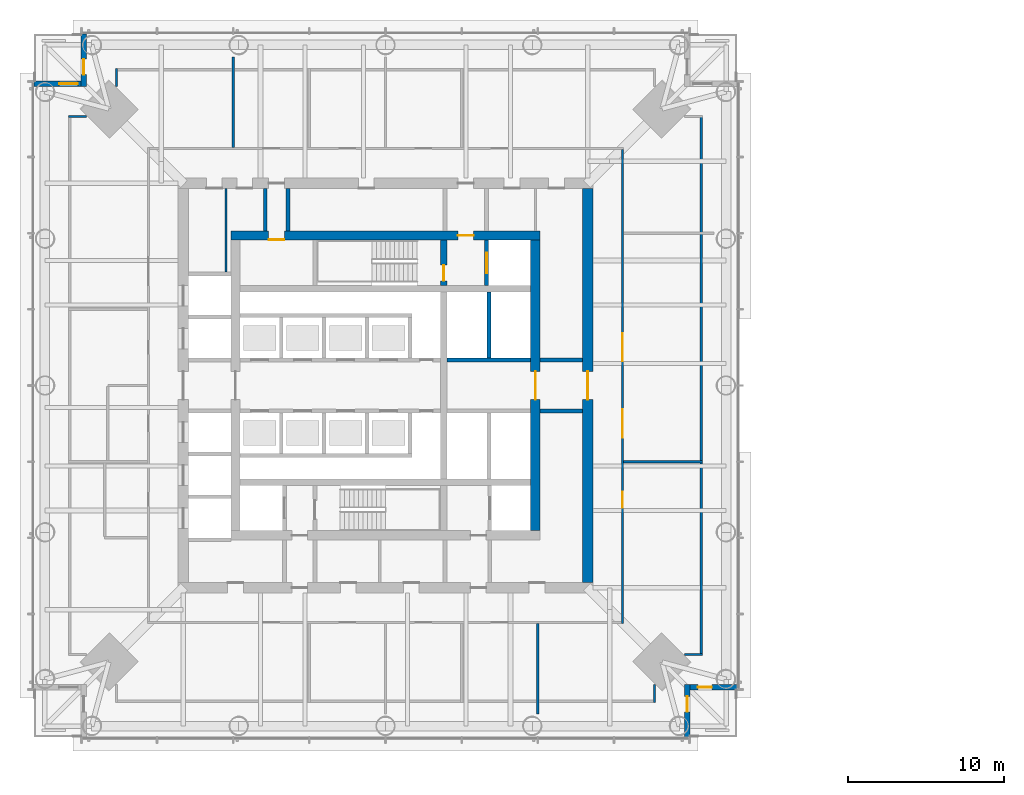
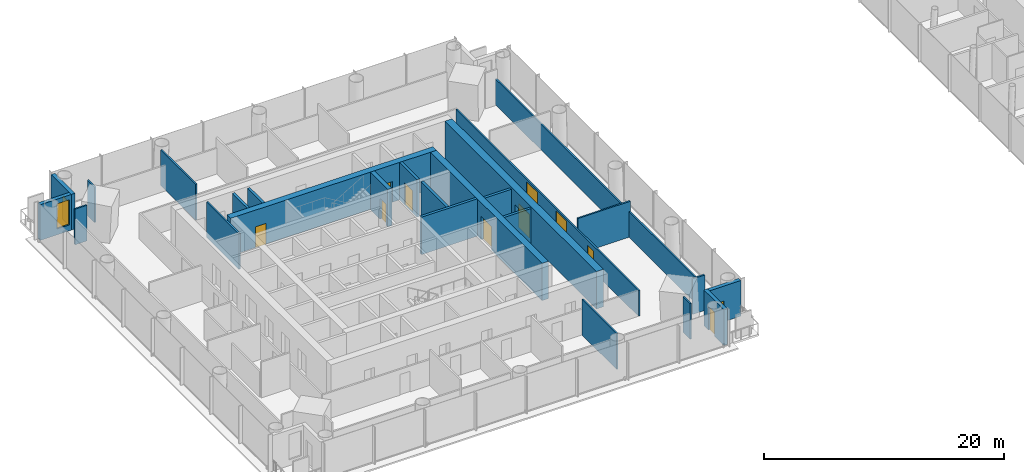
# One storey, part 11 of 27: 25 walls, 12 doors, 1 window, 13 openings.
"""IFC4 building model written with IfcOpenShell, lengths in metres."""

from ifc_helpers import new_model, si_unit, direction, frame, frame_2d, origin, place, context, subcontext, project, spatial, rectangle, extrude, material, layer, layer_set, type_object, element, fill, save


model = new_model("IFC4")

# Units and contexts
model_context = context("Model", 3, precision=1e-05, world=origin(), true_north=direction((0.0, 1.0)))
body_context = subcontext(model_context, "Body", "Model", "MODEL_VIEW")
ifc_project = project(units=[si_unit("LENGTHUNIT", "METRE"), si_unit("AREAUNIT", "SQUARE_METRE"), si_unit("VOLUMEUNIT", "CUBIC_METRE"), si_unit("PLANEANGLEUNIT", "RADIAN"), si_unit("MASSUNIT", "GRAM", prefix="KILO")], contexts=[model_context])

# Site, building, storey
site_placement = place(None, origin())
site = spatial("IfcSite", under=ifc_project, at=site_placement, CompositionType="ELEMENT")
building_placement = place(site_placement, origin())
building = spatial("IfcBuilding", under=site, at=building_placement, Name="Ostroluk Exchange", CompositionType="ELEMENT")
storey_placement = place(building_placement, frame((0.0, 0.0, 89.39990234375)))
storey = spatial("IfcBuildingStorey", under=building, at=storey_placement, Name="L22", CompositionType="ELEMENT", Elevation=89.39990234375)

# Walls
ifc_material_1 = material(Name="Concrete blockwork", Category="masonry")
ifc_layer_1 = layer(ifc_material_1, 0.14990234375)
ifc_layer_set_1 = layer_set([ifc_layer_1], Name="Blockwork plant room wall 150")
wall_type_1 = type_object("IfcWallType", Name="Blockwork plant room wall 150", PredefinedType="SOLIDWALL", material=ifc_layer_set_1)
wall_1_placement = place(storey_placement, frame((34.78759765625, 53.25, 0.0), z_axis=(0.0, 0.0, 1.0), x_axis=(0.0, 1.0, 0.0)))
element("IfcWall", 1, at=wall_1_placement, inside=storey, type_object=wall_type_1, Name="Core room wall", PredefinedType="SOLIDWALL", context=body_context, shape_type="SweptSolid", body=[
    extrude(rectangle(XDim=5.35009765625, YDim=0.14990234375, at=frame_2d((2.675048828125, 0.0))), origin(), (0.0, 0.0, 1.0), 3.6201171875),
])
ifc_material_2 = material(Name="Concrete blockwork", Category="masonry")
ifc_layer_2 = layer(ifc_material_2, 0.25)
ifc_layer_set_2 = layer_set([ifc_layer_2], Name="Blockwork stair enclosure wall 250")
wall_type_2 = type_object("IfcWallType", Name="Blockwork stair enclosure wall 250", PredefinedType="SOLIDWALL", material=ifc_layer_set_2)
for number, where, z_axis, x_axis, name in (
    (2, (54.89990234375, 44.375, 0.0), (0.0, 0.0, 1.0), (1.0, 0.0, 0.0), "Lift lobby enclosure wall"),
    (3, (54.89990234375, 47.625, 0.0), (0.0, 0.0, 1.0), (1.0, 0.0, 0.0), "Lift lobby enclosure wall"),
    (4, (37.300048828125, 55.89990234375, 0.0), (0.0, 0.0, 1.0), (0.0, 1.0, 0.0), "Core corridor wall"),
    (5, (38.75, 55.89990234375, 0.0), (0.0, 0.0, 1.0), (0.0, 1.0, 0.0), "Core corridor wall"),
):
    element("IfcWall", number, at=place(storey_placement, frame(where, z_axis=z_axis, x_axis=x_axis)), inside=storey, type_object=wall_type_2, Name=name, PredefinedType="SOLIDWALL", context=body_context, shape_type="SweptSolid", body=[
        extrude(rectangle(XDim=2.7001953125, YDim=0.25, at=frame_2d((1.35009765625, 0.0))), origin(), (0.0, 0.0, 1.0), 3.6201171875),
    ])

# Wall, opening, door
ifc_material_3 = material(Name="Concrete C50/60", Category="concrete")
ifc_layer_3 = layer(ifc_material_3, 0.39990234375)
ifc_layer_set_3 = layer_set([ifc_layer_3], Name="Core cross wall 400 C50/60")
wall_type_3 = type_object("IfcWallType", Name="Core cross wall 400 C50/60", PredefinedType="SHEAR", material=ifc_layer_set_3)
wall_2_placement = place(storey_placement, frame((48.72998046875, 52.39990234375, 0.0), z_axis=(0.0, 0.0, 1.0), x_axis=(0.0, 1.0, 0.0)))
wall_2 = element("IfcWall", 6, at=wall_2_placement, inside=storey, type_object=wall_type_3, Name="T1 core wall YE3", PredefinedType="SHEAR", context=body_context, shape_type="SweptSolid", body=[
    extrude(rectangle(XDim=2.900146484375, YDim=0.39990234375, at=frame_2d((1.4501953125, 0.0))), origin(), (0.0, 0.0, 1.0), 3.800048828125),
])
opening_1_placement = place(wall_2_placement, frame((0.300048828125, 0.0, 0.0)))
opening_1 = element("IfcOpeningElement", 7, at=opening_1_placement, cuts=wall_2, Name="Opening FD60", PredefinedType="OPENING", context=body_context, shape_type="SweptSolid", body=[
    extrude(rectangle(XDim=1.0, YDim=2.10009765625, at=frame_2d((0.5, 1.050048828125))), frame((0.0, 0.2099609375, 0.0), z_axis=(0.0, -1.0, 0.0), x_axis=(1.0, 0.0, 0.0)), (0.0, 0.0, 1.0), 0.419921875),
])
ifc_material_4 = material(Name="Steel", Category="steel")
door_type_1 = type_object("IfcDoorType", Name="Fire door EI 60 1000 x 2100", OperationType="SINGLE_SWING_LEFT", PredefinedType="DOOR", material=ifc_material_4)
door_1_placement = place(opening_1_placement, origin())
door_1 = element("IfcDoor", 8, at=door_1_placement, inside=storey, type_object=door_type_1, Name="Stair T1-S2 door", OperationType="SINGLE_SWING_LEFT", OverallHeight=2.10009765625, OverallWidth=1.0, PredefinedType="DOOR", context=body_context, shape_type="SweptSolid", body=[
    extrude(rectangle(XDim=1.0, YDim=2.10009765625, at=frame_2d((0.5, 1.050048828125))), frame((0.0, 0.02490234375, 0.0), z_axis=(0.0, -1.0, 0.0), x_axis=(1.0, 0.0, 0.0)), (0.0, 0.0, 1.0), 0.050048828125),
])
fill(opening_1, door_1)

ifc_material_5 = material(Name="Concrete C40/50", Category="concrete")
ifc_layer_4 = layer(ifc_material_5, 0.25)
ifc_layer_set_4 = layer_set([ifc_layer_4], Name="Core shaft wall 250")
wall_type_4 = type_object("IfcWallType", Name="Core shaft wall 250", PredefinedType="SHEAR", material=ifc_layer_set_4)
wall_3_placement = place(storey_placement, frame((51.47509765625, 52.39990234375, 0.0), z_axis=(0.0, 0.0, 1.0), x_axis=(0.0, 1.0, 0.0)))
wall_3 = element("IfcWall", 9, at=wall_3_placement, inside=storey, type_object=wall_type_4, Name="Firefighting lift shaft wall", PredefinedType="SHEAR", context=body_context, shape_type="SweptSolid", body=[
    extrude(rectangle(XDim=2.900146484375, YDim=0.25, at=frame_2d((1.4501953125, 0.0))), origin(), (0.0, 0.0, 1.0), 3.800048828125),
])
opening_2_placement = place(wall_3_placement, frame((0.800048828125, 0.0, 0.0)))
opening_2 = element("IfcOpeningElement", 10, at=opening_2_placement, cuts=wall_3, Name="Opening LD2", PredefinedType="OPENING", context=body_context, shape_type="SweptSolid", body=[
    extrude(rectangle(XDim=1.300048828125, YDim=2.199951171875, at=frame_2d((0.64990234375, 1.10009765625))), frame((0.0, 0.135009765625, 0.0), z_axis=(0.0, -1.0, 0.0), x_axis=(1.0, 0.0, 0.0)), (0.0, 0.0, 1.0), 0.27001953125),
])
ifc_material_6 = material(Name="Stainless steel", Category="steel")
door_type_2 = type_object("IfcDoorType", Name="Lift landing door E 60 1300 x 2200", OperationType="DOUBLE_DOOR_SLIDING", PredefinedType="DOOR", material=ifc_material_6)
door_2_placement = place(opening_2_placement, origin())
door_2 = element("IfcDoor", 11, at=door_2_placement, inside=storey, type_object=door_type_2, Name="Lift FL2 landing door", OperationType="DOUBLE_DOOR_SLIDING", OverallHeight=2.199951171875, OverallWidth=1.300048828125, PredefinedType="DOOR", context=body_context, shape_type="SweptSolid", body=[
    extrude(rectangle(XDim=1.300048828125, YDim=2.199951171875, at=frame_2d((0.64990234375, 1.10009765625))), frame((0.0, 0.02490234375, 0.0), z_axis=(0.0, -1.0, 0.0), x_axis=(1.0, 0.0, 0.0)), (0.0, 0.0, 1.0), 0.050048828125),
])
fill(opening_2, door_2)

# Walls
wall_4_placement = place(storey_placement, frame((51.614990234375, 47.75, 0.0), z_axis=(0.0, 0.0, 1.0), x_axis=(0.0, 1.0, 0.0)))
element("IfcWall", 12, at=wall_4_placement, inside=storey, type_object=wall_type_4, Name="Lift shaft wall", PredefinedType="SHEAR", context=body_context, shape_type="SweptSolid", body=[
    extrude(rectangle(XDim=4.25, YDim=0.25, at=frame_2d((2.125, 0.0))), origin(), (0.0, 0.0, 1.0), 3.800048828125),
])
wall_5_placement = place(storey_placement, frame((48.929931640625, 47.625, 0.0), z_axis=(0.0, 0.0, 1.0), x_axis=(1.0, 0.0, 0.0)))
element("IfcWall", 13, at=wall_5_placement, inside=storey, type_object=wall_type_4, Name="Lift shaft front wall", PredefinedType="SHEAR", context=body_context, shape_type="SweptSolid", body=[
    extrude(rectangle(XDim=5.3701171875, YDim=0.25, at=frame_2d((2.68505859375, 0.0))), origin(), (0.0, 0.0, 1.0), 3.800048828125),
])

# Wall, openings, doors
ifc_material_7 = material(Name="Concrete C50/60", Category="concrete")
ifc_layer_5 = layer(ifc_material_7, 0.60009765625)
ifc_layer_set_5 = layer_set([ifc_layer_5], Name="Core wall 600 C50/60")
wall_type_5 = type_object("IfcWallType", Name="Core wall 600 C50/60", PredefinedType="SHEAR", material=ifc_layer_set_5)
wall_6_placement = place(storey_placement, frame((35.10009765625, 55.60009765625, 0.0), z_axis=(0.0, 0.0, 1.0), x_axis=(1.0, 0.0, 0.0)))
wall_6 = element("IfcWall", 14, at=wall_6_placement, inside=storey, type_object=wall_type_5, Name="T1 core wall N", PredefinedType="SHEAR", context=body_context, shape_type="SweptSolid", body=[
    extrude(rectangle(XDim=19.7998046875, YDim=0.60009765625, at=frame_2d((9.89990234375, 0.0))), origin(), (0.0, 0.0, 1.0), 3.800048828125),
])
opening_3_placement = place(wall_6_placement, frame((14.5400390625, 0.0, 0.0)))
opening_3 = element("IfcOpeningElement", 15, at=opening_3_placement, cuts=wall_6, Name="Opening FD60", PredefinedType="OPENING", context=body_context, shape_type="SweptSolid", body=[
    extrude(rectangle(XDim=1.0, YDim=2.10009765625, at=frame_2d((0.5, 1.050048828125))), frame((0.0, 0.31005859375, 0.0), z_axis=(0.0, -1.0, 0.0), x_axis=(1.0, 0.0, 0.0)), (0.0, 0.0, 1.0), 0.6201171875),
])
opening_4_placement = place(wall_6_placement, frame((2.425048828125, 0.0, 0.0)))
opening_4 = element("IfcOpeningElement", 16, at=opening_4_placement, cuts=wall_6, Name="Opening FD60", PredefinedType="OPENING", context=body_context, shape_type="SweptSolid", body=[
    extrude(rectangle(XDim=1.0, YDim=2.10009765625, at=frame_2d((0.5, 1.050048828125))), frame((0.0, 0.31005859375, 0.0), z_axis=(0.0, -1.0, 0.0), x_axis=(1.0, 0.0, 0.0)), (0.0, 0.0, 1.0), 0.6201171875),
])
door_3_placement = place(opening_3_placement, origin())
door_3 = element("IfcDoor", 17, at=door_3_placement, inside=storey, type_object=door_type_1, Name="Firefighting lobby door", OperationType="SINGLE_SWING_RIGHT", OverallHeight=2.10009765625, OverallWidth=1.0, PredefinedType="DOOR", context=body_context, shape_type="SweptSolid", body=[
    extrude(rectangle(XDim=1.0, YDim=2.10009765625, at=frame_2d((0.5, 1.050048828125))), frame((0.0, 0.02490234375, 0.0), z_axis=(0.0, -1.0, 0.0), x_axis=(1.0, 0.0, 0.0)), (0.0, 0.0, 1.0), 0.050048828125),
])
fill(opening_3, door_3)
door_4_placement = place(opening_4_placement, origin())
door_4 = element("IfcDoor", 18, at=door_4_placement, inside=storey, type_object=door_type_1, Name="Concierge office door", OperationType="SINGLE_SWING_LEFT", OverallHeight=2.10009765625, OverallWidth=1.0, PredefinedType="DOOR", context=body_context, shape_type="SweptSolid", body=[
    extrude(rectangle(XDim=1.0, YDim=2.10009765625, at=frame_2d((0.5, 1.050048828125))), frame((0.0, -0.23974609375, 0.0), z_axis=(0.0, -1.0, 0.0), x_axis=(1.0, 0.0, 0.0)), (0.0, 0.0, 1.0), 0.050048828125),
])
fill(opening_4, door_4)

# Wall, opening, door
wall_7_placement = place(storey_placement, frame((54.60009765625, 36.699951171875, 0.0), z_axis=(0.0, 0.0, 1.0), x_axis=(0.0, 1.0, 0.0)))
wall_7 = element("IfcWall", 19, at=wall_7_placement, inside=storey, type_object=wall_type_5, Name="T1 core wall E", PredefinedType="SHEAR", context=body_context, shape_type="SweptSolid", body=[
    extrude(rectangle(XDim=18.60009765625, YDim=0.60009765625, at=frame_2d((9.300048828125, 0.0))), origin(), (0.0, 0.0, 1.0), 3.800048828125),
])
opening_5_placement = place(wall_7_placement, frame((8.39990234375, 0.0, 0.0)))
opening_5 = element("IfcOpeningElement", 20, at=opening_5_placement, cuts=wall_7, Name="Opening FD30D", PredefinedType="OPENING", context=body_context, shape_type="SweptSolid", body=[
    extrude(rectangle(XDim=1.800048828125, YDim=2.39990234375, at=frame_2d((0.89990234375, 1.199951171875))), frame((0.0, 0.31005859375, 0.0), z_axis=(0.0, -1.0, 0.0), x_axis=(1.0, 0.0, 0.0)), (0.0, 0.0, 1.0), 0.6201171875),
])
ifc_material_8 = material(Name="Timber", Category="wood")
door_type_3 = type_object("IfcDoorType", Name="Lobby double door EI 30 1800 x 2400", OperationType="DOUBLE_DOOR_SINGLE_SWING", PredefinedType="DOOR", material=ifc_material_8)
door_5_placement = place(opening_5_placement, origin())
door_5 = element("IfcDoor", 21, at=door_5_placement, inside=storey, type_object=door_type_3, Name="Lift lobby doors", OperationType="DOUBLE_DOOR_SINGLE_SWING", OverallHeight=2.39990234375, OverallWidth=1.800048828125, PredefinedType="DOOR", context=body_context, shape_type="SweptSolid", body=[
    extrude(rectangle(XDim=1.800048828125, YDim=2.39990234375, at=frame_2d((0.89990234375, 1.199951171875))), frame((0.0, 0.02490234375, 0.0), z_axis=(0.0, -1.0, 0.0), x_axis=(1.0, 0.0, 0.0)), (0.0, 0.0, 1.0), 0.050048828125),
])
fill(opening_5, door_5)

ifc_material_9 = material(Name="Concrete C50/60", Category="concrete")
ifc_layer_6 = layer(ifc_material_9, 0.699951171875)
ifc_layer_set_6 = layer_set([ifc_layer_6], Name="Core wall 700 C50/60")
wall_type_6 = type_object("IfcWallType", Name="Core wall 700 C50/60", PredefinedType="SHEAR", material=ifc_layer_set_6)
wall_8_placement = place(storey_placement, frame((57.949951171875, 33.39990234375, 0.0), z_axis=(0.0, 0.0, 1.0), x_axis=(0.0, 1.0, 0.0)))
wall_8 = element("IfcWall", 22, at=wall_8_placement, inside=storey, type_object=wall_type_6, Name="T1 core wall RE", PredefinedType="SHEAR", context=body_context, shape_type="SweptSolid", body=[
    extrude(rectangle(XDim=25.2001953125, YDim=0.699951171875, at=frame_2d((12.60009765625, 0.0))), origin(), (0.0, 0.0, 1.0), 3.800048828125),
])
opening_6_placement = place(wall_8_placement, frame((11.699951171875, 0.0, 0.0)))
opening_6 = element("IfcOpeningElement", 23, at=opening_6_placement, cuts=wall_8, Name="Opening FD30D", PredefinedType="OPENING", context=body_context, shape_type="SweptSolid", body=[
    extrude(rectangle(XDim=1.800048828125, YDim=2.39990234375, at=frame_2d((0.89990234375, 1.199951171875))), frame((0.0, 0.35986328125, 0.0), z_axis=(0.0, -1.0, 0.0), x_axis=(1.0, 0.0, 0.0)), (0.0, 0.0, 1.0), 0.719970703125),
])
door_6_placement = place(opening_6_placement, origin())
door_6 = element("IfcDoor", 24, at=door_6_placement, inside=storey, type_object=door_type_3, Name="Lift lobby doors", OperationType="DOUBLE_DOOR_SINGLE_SWING", OverallHeight=2.39990234375, OverallWidth=1.800048828125, PredefinedType="DOOR", context=body_context, shape_type="SweptSolid", body=[
    extrude(rectangle(XDim=1.800048828125, YDim=2.39990234375, at=frame_2d((0.89990234375, 1.199951171875))), frame((0.0, 0.02490234375, 0.0), z_axis=(0.0, -1.0, 0.0), x_axis=(1.0, 0.0, 0.0)), (0.0, 0.0, 1.0), 0.050048828125),
])
fill(opening_6, door_6)

ifc_material_10 = material(Name="Limestone", Category="masonry")
ifc_layer_7 = layer(ifc_material_10, 0.35009765625)
ifc_layer_set_7 = layer_set([ifc_layer_7], Name="Limestone facade wall 350")
wall_type_7 = type_object("IfcWallType", Name="Limestone facade wall 350", PredefinedType="SOLIDWALL", material=ifc_layer_set_7)
wall_9_placement = place(storey_placement, frame((64.324951171875, 23.5, 0.0), z_axis=(0.0, 0.0, 1.0), x_axis=(0.0, 1.0, 0.0)))
wall_9 = element("IfcWall", 25, at=wall_9_placement, inside=storey, type_object=wall_type_7, Name="Office tower SE corner wall L22 a", PredefinedType="SOLIDWALL", context=body_context, shape_type="SweptSolid", body=[
    extrude(rectangle(XDim=3.35009765625, YDim=0.35009765625, at=frame_2d((1.675048828125, 0.0))), origin(), (0.0, 0.0, 1.0), 3.6201171875),
])
opening_7_placement = place(wall_9_placement, frame((1.60009765625, 0.0, 0.0)))
opening_7 = element("IfcOpeningElement", 26, at=opening_7_placement, cuts=wall_9, Name="Opening D-B1", PredefinedType="OPENING", context=body_context, shape_type="SweptSolid", body=[
    extrude(rectangle(XDim=1.0, YDim=2.39990234375, at=frame_2d((0.5, 1.199951171875))), frame((0.0, 0.18505859375, 0.0), z_axis=(0.0, -1.0, 0.0), x_axis=(1.0, 0.0, 0.0)), (0.0, 0.0, 1.0), 0.3701171875),
])
ifc_material_11 = material(Name="Bronze framed glazed door", Category="aluminium")
door_type_4 = type_object("IfcDoorType", Name="Balcony door 1000 x 2400", OperationType="SINGLE_SWING_LEFT", PredefinedType="DOOR", material=ifc_material_11)
door_7_placement = place(opening_7_placement, origin())
door_7 = element("IfcDoor", 27, at=door_7_placement, inside=storey, type_object=door_type_4, Name="Office tower SE balcony door L22", OperationType="SINGLE_SWING_RIGHT", OverallHeight=2.39990234375, OverallWidth=1.0, PredefinedType="DOOR", context=body_context, shape_type="SweptSolid", body=[
    extrude(rectangle(XDim=1.0, YDim=2.39990234375, at=frame_2d((0.5, 1.199951171875))), frame((0.0, 0.02490234375, 0.0), z_axis=(0.0, -1.0, 0.0), x_axis=(1.0, 0.0, 0.0)), (0.0, 0.0, 1.0), 0.050048828125),
])
fill(opening_7, door_7)

wall_10_placement = place(storey_placement, frame((64.5, 26.675048828125, 0.0), z_axis=(0.0, 0.0, 1.0), x_axis=(1.0, 0.0, 0.0)))
wall_10 = element("IfcWall", 28, at=wall_10_placement, inside=storey, type_object=wall_type_7, Name="Office tower SE corner wall L22 b", PredefinedType="SOLIDWALL", context=body_context, shape_type="SweptSolid", body=[
    extrude(rectangle(XDim=3.0, YDim=0.35009765625, at=frame_2d((1.5, 0.0))), origin(), (0.0, 0.0, 1.0), 3.6201171875),
])
opening_8_placement = place(wall_10_placement, frame((0.5, 0.0, 0.0)))
opening_8 = element("IfcOpeningElement", 29, at=opening_8_placement, cuts=wall_10, Name="Opening D-M1", PredefinedType="OPENING", context=body_context, shape_type="SweptSolid", body=[
    extrude(rectangle(XDim=0.89990234375, YDim=2.10009765625, at=frame_2d((0.449951171875, 1.050048828125))), frame((0.0, 0.18505859375, 0.0), z_axis=(0.0, -1.0, 0.0), x_axis=(1.0, 0.0, 0.0)), (0.0, 0.0, 1.0), 0.3701171875),
])
ifc_material_12 = material(Name="Steel door", Category="steel")
door_type_5 = type_object("IfcDoorType", Name="Maintenance access door 900 x 2100", OperationType="SINGLE_SWING_LEFT", PredefinedType="DOOR", material=ifc_material_12)
door_8_placement = place(opening_8_placement, origin())
door_8 = element("IfcDoor", 30, at=door_8_placement, inside=storey, type_object=door_type_5, Name="Maintenance access door T1 L22 SE", OperationType="SINGLE_SWING_LEFT", OverallHeight=2.10009765625, OverallWidth=0.89990234375, PredefinedType="DOOR", context=body_context, shape_type="SweptSolid", body=[
    extrude(rectangle(XDim=0.89990234375, YDim=2.10009765625, at=frame_2d((0.449951171875, 1.050048828125))), frame((0.0, 0.02490234375, 0.0), z_axis=(0.0, -1.0, 0.0), x_axis=(1.0, 0.0, 0.0)), (0.0, 0.0, 1.0), 0.050048828125),
])
fill(opening_8, door_8)

wall_11_placement = place(storey_placement, frame((25.675048828125, 68.5, 0.0), z_axis=(0.0, 0.0, 1.0), x_axis=(0.0, -1.0, 0.0)))
wall_11 = element("IfcWall", 31, at=wall_11_placement, inside=storey, type_object=wall_type_7, Name="Office tower NW corner wall L22 a", PredefinedType="SOLIDWALL", context=body_context, shape_type="SweptSolid", body=[
    extrude(rectangle(XDim=3.35009765625, YDim=0.35009765625, at=frame_2d((1.675048828125, 0.0))), origin(), (0.0, 0.0, 1.0), 3.6201171875),
])
opening_9_placement = place(wall_11_placement, frame((1.60009765625, 0.0, 0.0)))
opening_9 = element("IfcOpeningElement", 32, at=opening_9_placement, cuts=wall_11, Name="Opening D-B1", PredefinedType="OPENING", context=body_context, shape_type="SweptSolid", body=[
    extrude(rectangle(XDim=1.0, YDim=2.39990234375, at=frame_2d((0.5, 1.199951171875))), frame((0.0, 0.18505859375, 0.0), z_axis=(0.0, -1.0, 0.0), x_axis=(1.0, 0.0, 0.0)), (0.0, 0.0, 1.0), 0.3701171875),
])
door_9_placement = place(opening_9_placement, origin())
door_9 = element("IfcDoor", 33, at=door_9_placement, inside=storey, type_object=door_type_4, Name="Office tower NW balcony door L22", OperationType="SINGLE_SWING_RIGHT", OverallHeight=2.39990234375, OverallWidth=1.0, PredefinedType="DOOR", context=body_context, shape_type="SweptSolid", body=[
    extrude(rectangle(XDim=1.0, YDim=2.39990234375, at=frame_2d((0.5, 1.199951171875))), frame((0.0, 0.02490234375, 0.0), z_axis=(0.0, -1.0, 0.0), x_axis=(1.0, 0.0, 0.0)), (0.0, 0.0, 1.0), 0.050048828125),
])
fill(opening_9, door_9)

# Wall, opening, window
wall_12_placement = place(storey_placement, frame((25.5, 65.324951171875, 0.0), z_axis=(0.0, 0.0, 1.0), x_axis=(-1.0, 0.0, 0.0)))
wall_12 = element("IfcWall", 34, at=wall_12_placement, inside=storey, type_object=wall_type_7, Name="Office tower NW corner wall L22 b", PredefinedType="SOLIDWALL", context=body_context, shape_type="SweptSolid", body=[
    extrude(rectangle(XDim=3.0, YDim=0.35009765625, at=frame_2d((1.5, 0.0))), origin(), (0.0, 0.0, 1.0), 3.6201171875),
])
opening_10_placement = place(wall_12_placement, frame((0.199951171875, 0.0, 0.60009765625)))
opening_10 = element("IfcOpeningElement", 35, at=opening_10_placement, cuts=wall_12, Name="Opening WN-L1", PredefinedType="OPENING", context=body_context, shape_type="SweptSolid", body=[
    extrude(rectangle(XDim=1.199951171875, YDim=2.550048828125, at=frame_2d((0.60009765625, 1.27490234375))), frame((0.0, 0.18505859375, 0.0), z_axis=(0.0, -1.0, 0.0), x_axis=(1.0, 0.0, 0.0)), (0.0, 0.0, 1.0), 0.3701171875),
])
ifc_material_13 = material(Name="Laminated clear glass", Category="glass")
window_type = type_object("IfcWindowType", Name="Lancet window 1200 x 2550", PartitioningType="SINGLE_PANEL", PredefinedType="WINDOW", material=ifc_material_13)
window_placement = place(opening_10_placement, origin())
window = element("IfcWindow", 36, at=window_placement, inside=storey, type_object=window_type, Name="Office tower NW lancet window L22", OverallHeight=2.550048828125, OverallWidth=1.199951171875, PartitioningType="SINGLE_PANEL", PredefinedType="WINDOW", context=body_context, shape_type="SweptSolid", body=[
    extrude(rectangle(XDim=1.199951171875, YDim=2.550048828125, at=frame_2d((0.60009765625, 1.27490234375))), frame((0.0, 0.030029296875, 0.0), z_axis=(0.0, -1.0, 0.0), x_axis=(1.0, 0.0, 0.0)), (0.0, 0.0, 1.0), 0.06005859375),
])
fill(opening_10, window)

# Wall, openings, doors
ifc_material_14 = material(Name="Gypsum plasterboard partition", Category="gypsum")
ifc_layer_8 = layer(ifc_material_14, 0.14990234375)
ifc_layer_set_8 = layer_set([ifc_layer_8], Name="Plasterboard partition 150")
wall_type_8 = type_object("IfcWallType", Name="Plasterboard partition 150", PredefinedType="PARTITIONING", material=ifc_layer_set_8)
wall_13_placement = place(storey_placement, frame((60.175048828125, 30.75, 0.0), z_axis=(0.0, 0.0, 1.0), x_axis=(0.0, 1.0, 0.0)))
wall_13 = element("IfcWall", 37, at=wall_13_placement, inside=storey, type_object=wall_type_8, Name="Partition", PredefinedType="PARTITIONING", context=body_context, shape_type="SweptSolid", body=[
    extrude(rectangle(XDim=30.35009765625, YDim=0.14990234375, at=frame_2d((15.175048828125, 0.0))), origin(), (0.0, 0.0, 1.0), 2.612060546875),
])
opening_11_placement = place(wall_13_placement, frame((7.4375, 0.0, 0.0)))
opening_11 = element("IfcOpeningElement", 38, at=opening_11_placement, cuts=wall_13, Name="Opening D-03", PredefinedType="OPENING", context=body_context, shape_type="SweptSolid", body=[
    extrude(rectangle(XDim=1.0, YDim=2.10009765625, at=frame_2d((0.5, 1.050048828125))), frame((0.0, 0.0849609375, 0.0), z_axis=(0.0, -1.0, 0.0), x_axis=(1.0, 0.0, 0.0)), (0.0, 0.0, 1.0), 0.169921875),
])
opening_12_placement = place(wall_13_placement, frame((11.91259765625, 0.0, 0.0)))
opening_12 = element("IfcOpeningElement", 39, at=opening_12_placement, cuts=wall_13, Name="Opening D-04", PredefinedType="OPENING", context=body_context, shape_type="SweptSolid", body=[
    extrude(rectangle(XDim=1.800048828125, YDim=2.39990234375, at=frame_2d((0.89990234375, 1.199951171875))), frame((0.0, 0.0849609375, 0.0), z_axis=(0.0, -1.0, 0.0), x_axis=(1.0, 0.0, 0.0)), (0.0, 0.0, 1.0), 0.169921875),
])
opening_13_placement = place(wall_13_placement, frame((16.78759765625, 0.0, 0.0)))
opening_13 = element("IfcOpeningElement", 40, at=opening_13_placement, cuts=wall_13, Name="Opening D-04", PredefinedType="OPENING", context=body_context, shape_type="SweptSolid", body=[
    extrude(rectangle(XDim=1.800048828125, YDim=2.39990234375, at=frame_2d((0.89990234375, 1.199951171875))), frame((0.0, 0.0849609375, 0.0), z_axis=(0.0, -1.0, 0.0), x_axis=(1.0, 0.0, 0.0)), (0.0, 0.0, 1.0), 0.169921875),
])
ifc_material_15 = material(Name="Timber", Category="wood")
door_type_6 = type_object("IfcDoorType", Name="Double door 1800 x 2400", OperationType="DOUBLE_DOOR_SINGLE_SWING", PredefinedType="DOOR", material=ifc_material_15)
door_10_placement = place(opening_12_placement, origin())
door_10 = element("IfcDoor", 41, at=door_10_placement, inside=storey, type_object=door_type_6, Name="Cafe door", OperationType="DOUBLE_DOOR_SINGLE_SWING", OverallHeight=2.39990234375, OverallWidth=1.800048828125, PredefinedType="DOOR", context=body_context, shape_type="SweptSolid", body=[
    extrude(rectangle(XDim=1.800048828125, YDim=2.39990234375, at=frame_2d((0.89990234375, 1.199951171875))), frame((0.0, 0.02490234375, 0.0), z_axis=(0.0, -1.0, 0.0), x_axis=(1.0, 0.0, 0.0)), (0.0, 0.0, 1.0), 0.050048828125),
])
fill(opening_12, door_10)
door_11_placement = place(opening_13_placement, origin())
door_11 = element("IfcDoor", 42, at=door_11_placement, inside=storey, type_object=door_type_6, Name="Cafe door", OperationType="DOUBLE_DOOR_SINGLE_SWING", OverallHeight=2.39990234375, OverallWidth=1.800048828125, PredefinedType="DOOR", context=body_context, shape_type="SweptSolid", body=[
    extrude(rectangle(XDim=1.800048828125, YDim=2.39990234375, at=frame_2d((0.89990234375, 1.199951171875))), frame((0.0, 0.02490234375, 0.0), z_axis=(0.0, -1.0, 0.0), x_axis=(1.0, 0.0, 0.0)), (0.0, 0.0, 1.0), 0.050048828125),
])
fill(opening_13, door_11)
ifc_material_16 = material(Name="Timber", Category="wood")
door_type_7 = type_object("IfcDoorType", Name="Internal door 1000 x 2100", OperationType="SINGLE_SWING_LEFT", PredefinedType="DOOR", material=ifc_material_16)
door_12_placement = place(opening_11_placement, origin())
door_12 = element("IfcDoor", 43, at=door_12_placement, inside=storey, type_object=door_type_7, Name="Meeting room door", OperationType="SINGLE_SWING_LEFT", OverallHeight=2.10009765625, OverallWidth=1.0, PredefinedType="DOOR", context=body_context, shape_type="SweptSolid", body=[
    extrude(rectangle(XDim=1.0, YDim=2.10009765625, at=frame_2d((0.5, 1.050048828125))), frame((0.0, 0.02490234375, 0.0), z_axis=(0.0, -1.0, 0.0), x_axis=(1.0, 0.0, 0.0)), (0.0, 0.0, 1.0), 0.050048828125),
])
fill(opening_11, door_12)

# Walls
wall_14_placement = place(storey_placement, frame((60.25, 41.125, 0.0), z_axis=(0.0, 0.0, 1.0), x_axis=(1.0, 0.0, 0.0)))
element("IfcWall", 44, at=wall_14_placement, inside=storey, type_object=wall_type_8, Name="Partition", PredefinedType="PARTITIONING", context=body_context, shape_type="SweptSolid", body=[
    extrude(rectangle(XDim=5.050048828125, YDim=0.14990234375, at=frame_2d((2.52490234375, 0.0))), origin(), (0.0, 0.0, 1.0), 3.6201171875),
])
for number, where, z_axis, x_axis, name in (
    (45, (35.25, 61.25, 0.0), (0.0, 0.0, 1.0), (0.0, 1.0, 0.0), "Partition"),
    (46, (54.75, 30.75, 0.0), (0.0, 0.0, 1.0), (0.0, -1.0, 0.0), "Partition"),
):
    element("IfcWall", number, at=place(storey_placement, frame(where, z_axis=z_axis, x_axis=x_axis)), inside=storey, type_object=wall_type_8, Name=name, PredefinedType="PARTITIONING", context=body_context, shape_type="SweptSolid", body=[
        extrude(rectangle(XDim=5.7900390625, YDim=0.14990234375, at=frame_2d((2.89501953125, 0.0))), origin(), (0.0, 0.0, 1.0), 3.6201171875),
    ])
for number, where, z_axis, x_axis, name in (
    (47, (24.699951171875, 63.22509765625, 0.0), (0.0, 0.0, 1.0), (1.0, 0.0, 0.0), "Truss zone partition"),
    (48, (27.77490234375, 65.138427734375, 0.0), (0.0, 0.0, 1.0), (0.0, 1.0, 0.0), "Truss zone partition"),
):
    element("IfcWall", number, at=place(storey_placement, frame(where, z_axis=z_axis, x_axis=x_axis)), inside=storey, type_object=wall_type_8, Name=name, PredefinedType="PARTITIONING", context=body_context, shape_type="SweptSolid", body=[
        extrude(rectangle(XDim=1.16162109375, YDim=0.14990234375, at=frame_2d((0.580810546875, 0.0))), origin(), (0.0, 0.0, 1.0), 3.6201171875),
    ])
wall_15_placement = place(storey_placement, frame((65.22509765625, 63.300048828125, 0.0), z_axis=(0.0, 0.0, 1.0), x_axis=(0.0, -1.0, 0.0)))
element("IfcWall", 49, at=wall_15_placement, inside=storey, type_object=wall_type_8, Name="Truss zone partition", PredefinedType="PARTITIONING", context=body_context, shape_type="SweptSolid", body=[
    extrude(rectangle(XDim=34.60009765625, YDim=0.14990234375, at=frame_2d((17.300048828125, 0.0))), origin(), (0.0, 0.0, 1.0), 2.612060546875),
])
for number, where, z_axis, x_axis, name in (
    (50, (65.300048828125, 28.77490234375, 0.0), (0.0, 0.0, 1.0), (-1.0, 0.0, 0.0), "Truss zone partition"),
    (51, (62.22509765625, 26.861572265625, 0.0), (0.0, 0.0, 1.0), (0.0, -1.0, 0.0), "Truss zone partition"),
):
    element("IfcWall", number, at=place(storey_placement, frame(where, z_axis=z_axis, x_axis=x_axis)), inside=storey, type_object=wall_type_8, Name=name, PredefinedType="PARTITIONING", context=body_context, shape_type="SweptSolid", body=[
        extrude(rectangle(XDim=1.16162109375, YDim=0.14990234375, at=frame_2d((0.580810546875, 0.0))), origin(), (0.0, 0.0, 1.0), 3.6201171875),
    ])

save(model, "model.ifc")
